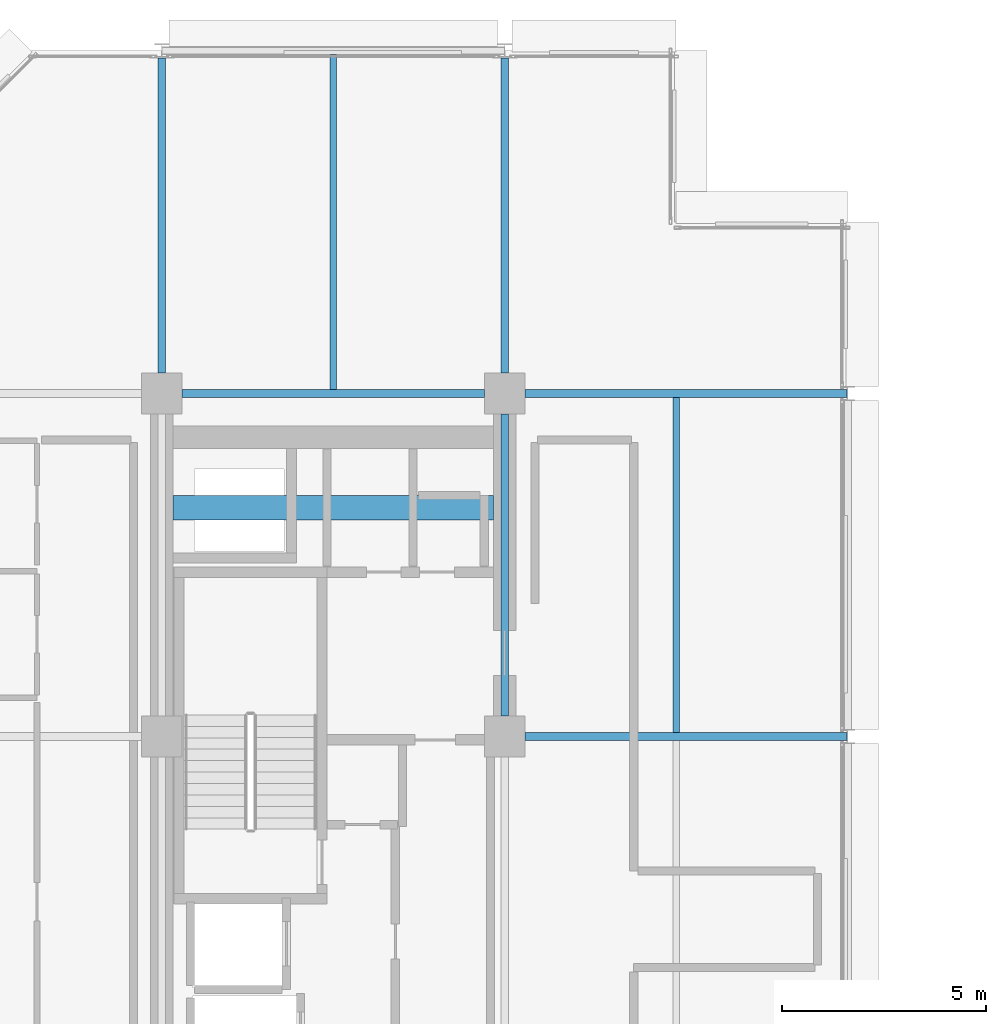
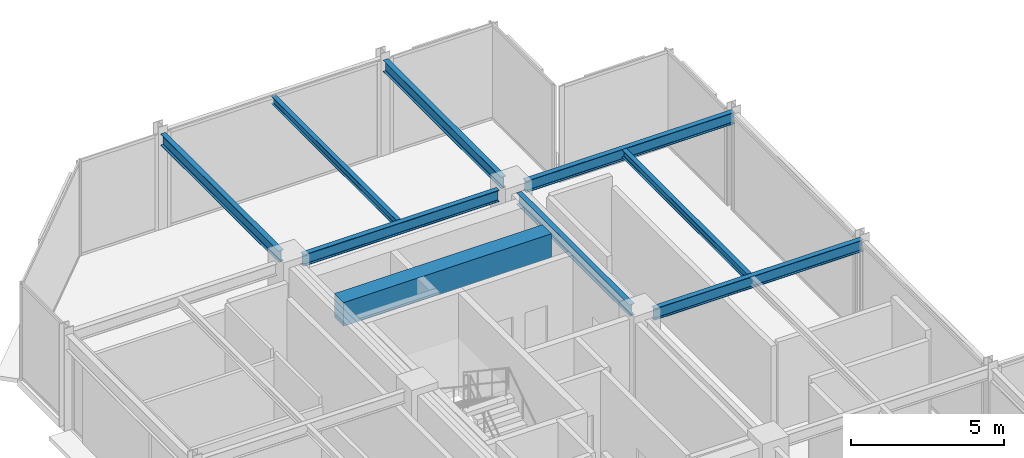
# One storey, part 18 of 29: 9 beams.
"""IFC4 building model written with IfcOpenShell, lengths in metres."""

from ifc_helpers import new_model, si_unit, direction, frame, origin, origin_2d, place, context, subcontext, project, spatial, rectangle, i_section, extrude, material, material_profile, profile_set, type_object, element, save


model = new_model("IFC4")

# Units and contexts
model_context = context("Model", 3, precision=1e-05, world=origin(), true_north=direction((0.0, 1.0)))
body_context = subcontext(model_context, "Body", "Model", "MODEL_VIEW")
ifc_project = project(units=[si_unit("LENGTHUNIT", "METRE"), si_unit("AREAUNIT", "SQUARE_METRE"), si_unit("VOLUMEUNIT", "CUBIC_METRE"), si_unit("PLANEANGLEUNIT", "RADIAN"), si_unit("MASSUNIT", "GRAM", prefix="KILO")], contexts=[model_context])

# Site, building, storey
site_placement = place(None, origin())
site = spatial("IfcSite", under=ifc_project, at=site_placement, CompositionType="ELEMENT")
building_placement = place(site_placement, origin())
building = spatial("IfcBuilding", under=site, at=building_placement, Name="Nerrivon Quay Data Exchange", CompositionType="ELEMENT")
storey_placement = place(building_placement, frame((0.0, 0.0, 191.89990234375)))
storey = spatial("IfcBuildingStorey", under=building, at=storey_placement, Name="L45", CompositionType="ELEMENT", Elevation=191.89990234375)

# Beams
ifc_material_1 = material(Name="Concrete N50 (50 MPa)", Category="concrete")
ifc_material_profile_1 = material_profile(ifc_material_1, rectangle(XDim=0.60009765625, YDim=0.949951171875, at=origin_2d()), Name="RC-CB-600x950")
ifc_profile_set_1 = profile_set([ifc_material_profile_1], Name="Concrete N50 (50 MPa)")
beam_type_1 = type_object("IfcBeamType", Name="BM-CB2-600x950", PredefinedType="LINTEL", material=ifc_profile_set_1)
beam_1_placement = place(storey_placement, frame((8.675048828125, 39.199951171875, 3.35009765625), z_axis=(1.0, 0.0, 0.0), x_axis=(0.0, 1.0, 0.0)))
element("IfcBeam", 1, at=beam_1_placement, inside=storey, type_object=beam_type_1, Name="L45 West Core Coupling Beam", PredefinedType="LINTEL", context=body_context, shape_type="SweptSolid", body=[
    extrude(rectangle(XDim=0.60009765625, YDim=0.949951171875, at=origin_2d()), origin(), (0.0, 0.0, 1.0), 7.849853515625),
])
ifc_material_2 = material(Name="Steel Grade 350", Category="steel")
ifc_material_profile_2 = material_profile(ifc_material_2, i_section(OverallWidth=0.19091796875, OverallDepth=0.4599609375, WebThickness=0.010009765625, FlangeThickness=0.01611328125, FilletRadius=0.011474609375, at=origin_2d()), Name="460UB82.1")
ifc_profile_set_2 = profile_set([ifc_material_profile_2], Name="Steel Grade 350")
beam_type_2 = type_object("IfcBeamType", Name="BM-G5-460UB82", PredefinedType="BEAM", material=ifc_profile_set_2)
beam_2_placement = place(storey_placement, frame((17.300048828125, 33.60009765625, 3.59521484375), z_axis=(1.0, 0.0, 0.0), x_axis=(0.0, 1.0, 0.0)))
element("IfcBeam", 2, at=beam_2_placement, inside=storey, type_object=beam_type_2, Name="L45 EW Girder Y=33.6 (16.8..25.2)", PredefinedType="BEAM", context=body_context, shape_type="SweptSolid", body=[
    extrude(i_section(OverallWidth=0.19091796875, OverallDepth=0.4599609375, WebThickness=0.010009765625, FlangeThickness=0.01611328125, FilletRadius=0.011474609375, at=origin_2d()), origin(), (0.0, 0.0, 1.0), 7.889892578125),
])
beam_3_placement = place(storey_placement, frame((8.89990234375, 42.0, 3.59521484375), z_axis=(1.0, 0.0, 0.0), x_axis=(0.0, 1.0, 0.0)))
element("IfcBeam", 3, at=beam_3_placement, inside=storey, type_object=beam_type_2, Name="L45 EW Girder Y=42.0 (8.4..16.8)", PredefinedType="BEAM", context=body_context, shape_type="SweptSolid", body=[
    extrude(i_section(OverallWidth=0.19091796875, OverallDepth=0.4599609375, WebThickness=0.010009765625, FlangeThickness=0.01611328125, FilletRadius=0.011474609375, at=origin_2d()), origin(), (0.0, 0.0, 1.0), 7.400146484375),
])
beam_4_placement = place(storey_placement, frame((17.300048828125, 42.0, 3.59521484375), z_axis=(1.0, 0.0, 0.0), x_axis=(0.0, 1.0, 0.0)))
element("IfcBeam", 4, at=beam_4_placement, inside=storey, type_object=beam_type_2, Name="L45 EW Girder Y=42.0 (16.8..25.2)", PredefinedType="BEAM", context=body_context, shape_type="SweptSolid", body=[
    extrude(i_section(OverallWidth=0.19091796875, OverallDepth=0.4599609375, WebThickness=0.010009765625, FlangeThickness=0.01611328125, FilletRadius=0.011474609375, at=origin_2d()), origin(), (0.0, 0.0, 1.0), 7.889892578125),
])
ifc_material_profile_3 = material_profile(ifc_material_2, i_section(OverallWidth=0.18994140625, OverallDepth=0.4541015625, WebThickness=0.008544921875, FlangeThickness=0.0126953125, FilletRadius=0.011474609375, at=origin_2d()), Name="460UB67.1")
ifc_profile_set_3 = profile_set([ifc_material_profile_3], Name="Steel Grade 350")
beam_type_3 = type_object("IfcBeamType", Name="BM-G6-460UB67", PredefinedType="BEAM", material=ifc_profile_set_3)
beam_5_placement = place(storey_placement, frame((8.39990234375, 42.5, 3.59814453125), z_axis=(0.0, 1.0, 0.0), x_axis=(-1.0, 0.0, 0.0)))
element("IfcBeam", 5, at=beam_5_placement, inside=storey, type_object=beam_type_3, Name="L45 NS Girder X=8.4 (42.0..50.4)", PredefinedType="BEAM", context=body_context, shape_type="SweptSolid", body=[
    extrude(i_section(OverallWidth=0.18994140625, OverallDepth=0.4541015625, WebThickness=0.008544921875, FlangeThickness=0.0126953125, FilletRadius=0.011474609375, at=origin_2d()), origin(), (0.0, 0.0, 1.0), 7.72509765625),
])
beam_6_placement = place(storey_placement, frame((16.800048828125, 34.10009765625, 3.59814453125), z_axis=(0.0, 1.0, 0.0), x_axis=(-1.0, 0.0, 0.0)))
element("IfcBeam", 6, at=beam_6_placement, inside=storey, type_object=beam_type_3, Name="L45 NS Girder X=16.8 (33.6..42.0)", PredefinedType="BEAM", context=body_context, shape_type="SweptSolid", body=[
    extrude(i_section(OverallWidth=0.18994140625, OverallDepth=0.4541015625, WebThickness=0.008544921875, FlangeThickness=0.0126953125, FilletRadius=0.011474609375, at=origin_2d()), origin(), (0.0, 0.0, 1.0), 7.39990234375),
])
beam_7_placement = place(storey_placement, frame((16.800048828125, 42.5, 3.59814453125), z_axis=(0.0, 1.0, 0.0), x_axis=(-1.0, 0.0, 0.0)))
element("IfcBeam", 7, at=beam_7_placement, inside=storey, type_object=beam_type_3, Name="L45 NS Girder X=16.8 (42.0..50.4)", PredefinedType="BEAM", context=body_context, shape_type="SweptSolid", body=[
    extrude(i_section(OverallWidth=0.18994140625, OverallDepth=0.4541015625, WebThickness=0.008544921875, FlangeThickness=0.0126953125, FilletRadius=0.011474609375, at=origin_2d()), origin(), (0.0, 0.0, 1.0), 7.72509765625),
])
ifc_material_profile_4 = material_profile(ifc_material_2, i_section(OverallWidth=0.166015625, OverallDepth=0.306884765625, WebThickness=0.006591796875, FlangeThickness=0.01171875, FilletRadius=0.011474609375, at=origin_2d()), Name="310UB46.2")
ifc_profile_set_4 = profile_set([ifc_material_profile_4], Name="Steel Grade 350")
beam_type_4 = type_object("IfcBeamType", Name="BM-J5-310UB46", PredefinedType="JOIST", material=ifc_profile_set_4)
beam_8_placement = place(storey_placement, frame((12.60009765625, 42.095458984375, 3.671630859375), z_axis=(0.0, 1.0, 0.0), x_axis=(-1.0, 0.0, 0.0)))
element("IfcBeam", 8, at=beam_8_placement, inside=storey, type_object=beam_type_4, Name="L45 Secondary Joist X=12.6 (42.0..50.4)", PredefinedType="JOIST", context=body_context, shape_type="SweptSolid", body=[
    extrude(i_section(OverallWidth=0.166015625, OverallDepth=0.306884765625, WebThickness=0.006591796875, FlangeThickness=0.01171875, FilletRadius=0.011474609375, at=origin_2d()), origin(), (0.0, 0.0, 1.0), 8.20458984375),
])
beam_9_placement = place(storey_placement, frame((21.0, 33.695556640625, 3.671630859375), z_axis=(0.0, 1.0, 0.0), x_axis=(-1.0, 0.0, 0.0)))
element("IfcBeam", 9, at=beam_9_placement, inside=storey, type_object=beam_type_4, Name="L45 Secondary Joist X=21.0 (33.6..42.0)", PredefinedType="JOIST", context=body_context, shape_type="SweptSolid", body=[
    extrude(i_section(OverallWidth=0.166015625, OverallDepth=0.306884765625, WebThickness=0.006591796875, FlangeThickness=0.01171875, FilletRadius=0.011474609375, at=origin_2d()), origin(), (0.0, 0.0, 1.0), 8.208984375),
])

save(model, "model.ifc")
